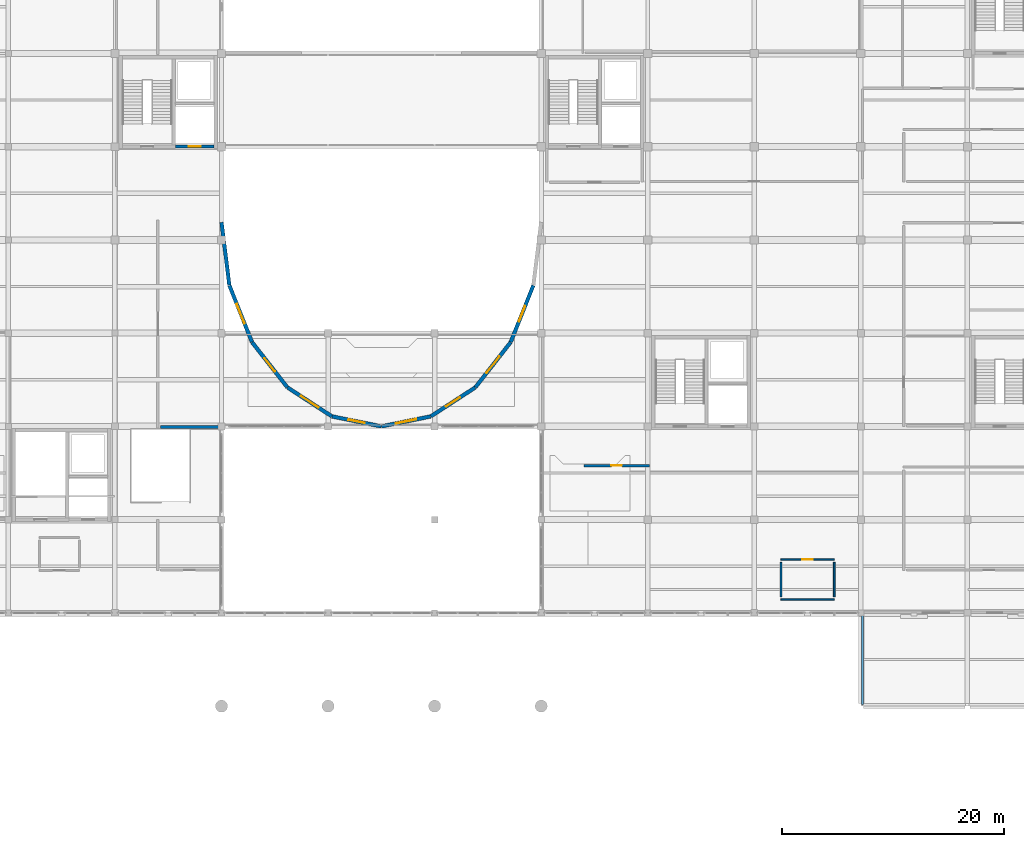
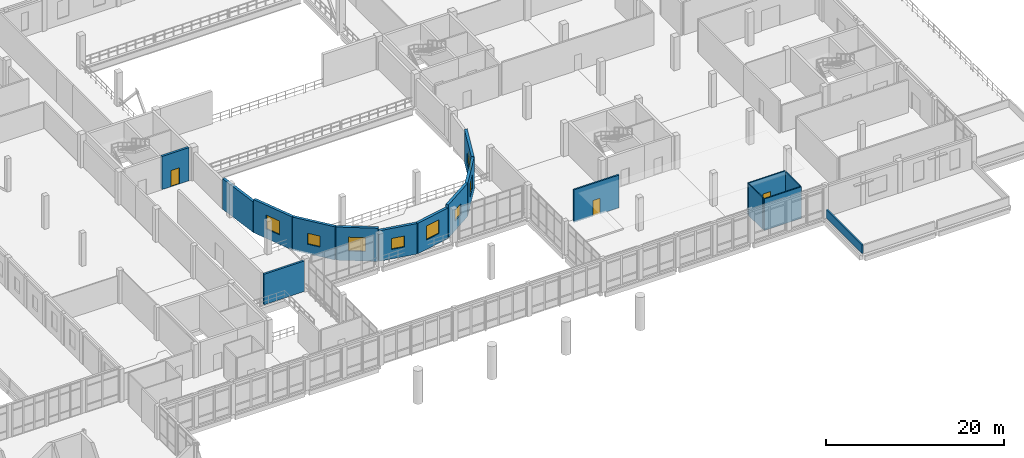
# One storey, part 74 of 88: 17 walls, 8 windows, 3 doors, 11 openings.
"""IFC4 building model written with IfcOpenShell, lengths in metres."""

from ifc_helpers import new_model, si_unit, direction, frame, frame_2d, origin, place, context, subcontext, project, spatial, rectangle, extrude, material, layer, layer_set, type_object, element, fill, save


model = new_model("IFC4")

# Units and contexts
model_context = context("Model", 3, precision=1e-05, world=origin(), true_north=direction((0.0, 1.0)))
body_context = subcontext(model_context, "Body", "Model", "MODEL_VIEW")
ifc_project = project(units=[si_unit("LENGTHUNIT", "METRE"), si_unit("AREAUNIT", "SQUARE_METRE"), si_unit("VOLUMEUNIT", "CUBIC_METRE"), si_unit("PLANEANGLEUNIT", "RADIAN"), si_unit("MASSUNIT", "GRAM", prefix="KILO")], contexts=[model_context])

# Site, building, storey
site_placement = place(None, origin())
site = spatial("IfcSite", under=ifc_project, at=site_placement, CompositionType="ELEMENT")
building_placement = place(site_placement, origin())
building = spatial("IfcBuilding", under=site, at=building_placement, Name="Lornevale Opera House", CompositionType="ELEMENT")
storey_placement = place(building_placement, frame((0.0, 0.0, 10.199951171875)))
storey = spatial("IfcBuildingStorey", under=building, at=storey_placement, Name="L03", CompositionType="ELEMENT", Elevation=10.199951171875)

# Wall
ifc_material_1 = material(Name="Acoustic Mineral-Core Gypsum Partition", Category="gypsum")
ifc_layer_1 = layer(ifc_material_1, 0.25)
ifc_layer_set_1 = layer_set([ifc_layer_1], Name="Acoustic Mineral-Core Gypsum Partition")
wall_type_1 = type_object("IfcWallType", Name="Auditorium Box-in-Box Liner 250", PredefinedType="SOLIDWALL", material=ifc_layer_set_1)
wall_1_placement = place(storey_placement, frame((61.7099609375, 33.5400390625, 0.0), z_axis=(0.0, 0.0, 1.0), x_axis=(1.0, 0.0, 0.0)))
element("IfcWall", 1, at=wall_1_placement, inside=storey, type_object=wall_type_1, Name="L03 Partition WL-INT-0851", PredefinedType="SOLIDWALL", context=body_context, shape_type="SweptSolid", body=[
    extrude(rectangle(XDim=5.27001953125, YDim=0.25, at=frame_2d((2.635009765625, 0.0))), origin(), (0.0, 0.0, 1.0), 4.177978515625),
])

# Wall, opening, door
ifc_material_2 = material(Name="Concrete 40 MPa (CSA A23.1 C-1)", Category="concrete")
ifc_layer_2 = layer(ifc_material_2, 0.280029296875)
ifc_layer_set_2 = layer_set([ifc_layer_2], Name="Concrete 40 MPa (CSA A23.1 C-1)")
wall_type_2 = type_object("IfcWallType", Name="Elevator Shaft Wall 280", PredefinedType="SHEAR", material=ifc_layer_set_2)
wall_2_placement = place(storey_placement, frame((63.0400390625, 58.800048828125, 0.0), z_axis=(0.0, 0.0, 1.0), x_axis=(1.0, 0.0, 0.0)))
wall_2 = element("IfcWall", 2, at=wall_2_placement, inside=storey, type_object=wall_type_2, Name="Auditorium West Tier Core Elevator Shaft Wall 280 WL-COR-0177", PredefinedType="SHEAR", context=body_context, shape_type="SweptSolid", body=[
    extrude(rectangle(XDim=3.5, YDim=0.280029296875, at=frame_2d((1.75, 0.0))), origin(), (0.0, 0.0, 1.0), 4.5400390625),
])
opening_1_placement = place(wall_2_placement, frame((1.2099609375, 0.0, 0.0)))
opening_1 = element("IfcOpeningElement", 3, at=opening_1_placement, cuts=wall_2, Name="Opening DR-T25", PredefinedType="OPENING", context=body_context, shape_type="SweptSolid", body=[
    extrude(rectangle(XDim=1.10009765625, YDim=2.199951171875, at=frame_2d((0.550048828125, 1.10009765625))), frame((0.0, 0.14990234375, 0.0), z_axis=(0.0, -1.0, 0.0), x_axis=(1.0, 0.0, 0.0)), (0.0, 0.0, 1.0), 0.300048828125),
])
ifc_material_3 = material(Name="Painted Hollow Metal Door Steel", Category="steel")
ifc_layer_3 = layer(ifc_material_3, 2.199951171875)
ifc_layer_set_3 = layer_set([ifc_layer_3], Name="Painted Hollow Metal Door Steel")
door_type_1 = type_object("IfcDoorType", Name="Passenger Lift Landing Door 1100x2200", OperationType="NOTDEFINED", PredefinedType="DOOR", material=ifc_layer_set_3)
door_1_placement = place(opening_1_placement, origin())
door_1 = element("IfcDoor", 4, at=door_1_placement, inside=storey, type_object=door_type_1, Name="L-P4 Landing Door L03", OperationType="SLIDING_TO_LEFT", OverallHeight=2.199951171875, OverallWidth=1.10009765625, PredefinedType="DOOR", context=body_context, shape_type="SweptSolid", body=[
    extrude(rectangle(XDim=1.10009765625, YDim=2.199951171875, at=frame_2d((0.550048828125, 1.10009765625))), frame((0.0, 0.02490234375, 0.0), z_axis=(0.0, -1.0, 0.0), x_axis=(1.0, 0.0, 0.0)), (0.0, 0.0, 1.0), 0.050048828125),
])
fill(opening_1, door_1)

# Walls
ifc_material_4 = material(Name="Precast Concrete 40 MPa (CSA A23.1 C-1)", Category="concrete")
ifc_layer_4 = layer(ifc_material_4, 0.195068359375)
ifc_layer_set_4 = layer_set([ifc_layer_4], Name="Precast Concrete 40 MPa (CSA A23.1 C-1)")
wall_type_3 = type_object("IfcWallType", Name="Green Roof Parapet Wall 195", PredefinedType="PARAPET", material=ifc_layer_set_4)
wall_3_placement = place(storey_placement, frame((124.929931640625, 8.56005859375, 0.0), z_axis=(0.0, 0.0, 1.0), x_axis=(0.0, 1.0, 0.0)))
element("IfcWall", 5, at=wall_3_placement, inside=storey, type_object=wall_type_3, Name="Green Roof Parapet Wall 195 0416", PredefinedType="PARAPET", context=body_context, shape_type="SweptSolid", body=[
    extrude(rectangle(XDim=8.079833984375, YDim=0.195068359375, at=frame_2d((4.0400390625, 0.0))), origin(), (0.0, 0.0, 1.0), 1.150146484375),
])
ifc_material_5 = material(Name="Credit Valley Sandstone Ashlar Masonry (25 MPa)", Category="masonry")
ifc_layer_5 = layer(ifc_material_5, 0.340087890625)
ifc_layer_set_5 = layer_set([ifc_layer_5], Name="Credit Valley Sandstone Ashlar Masonry (25 MPa)")
wall_type_4 = type_object("IfcWallType", Name="Polychrome Drum Cavity Wall 340", PredefinedType="SOLIDWALL", material=ifc_layer_set_5)
wall_4_placement = place(storey_placement, frame((67.201416015625, 51.988037109375, 0.0), z_axis=(0.0, 0.0, 1.0), x_axis=(0.123065633968, -0.992398533723, 0.0)))
element("IfcWall", 6, at=wall_4_placement, inside=storey, type_object=wall_type_4, Name="Auditorium Horseshoe Drum Wall WL-DRM-0349", PredefinedType="SOLIDWALL", context=body_context, shape_type="SweptSolid", body=[
    extrude(rectangle(XDim=5.70556640625, YDim=0.340087890625, at=frame_2d((2.852783203125, 0.0))), origin(), (0.0, 0.0, 1.0), 4.177978515625),
])

# Wall, opening, window
wall_5_placement = place(storey_placement, frame((67.909423828125, 46.302978515625, 0.0), z_axis=(0.0, 0.0, 1.0), x_axis=(0.370349189815, -0.928892608219, 0.0)))
wall_5 = element("IfcWall", 7, at=wall_5_placement, inside=storey, type_object=wall_type_4, Name="Auditorium Horseshoe Drum Wall WL-DRM-0350", PredefinedType="SOLIDWALL", context=body_context, shape_type="SweptSolid", body=[
    extrude(rectangle(XDim=5.497802734375, YDim=0.340087890625, at=frame_2d((2.7490234375, 0.0))), origin(), (0.0, 0.0, 1.0), 4.5400390625),
])
opening_2_placement = place(wall_5_placement, frame((1.799072265625, 0.0, 1.300048828125)))
opening_2 = element("IfcOpeningElement", 8, at=opening_2_placement, cuts=wall_5, Name="Opening WN-T18", PredefinedType="OPENING", context=body_context, shape_type="SweptSolid", body=[
    extrude(rectangle(XDim=1.89990234375, YDim=1.89990234375, at=frame_2d((0.949951171875, 0.949951171875))), frame((0.0, 0.179931640625, 0.0), z_axis=(0.0, -1.0, 0.0), x_axis=(1.0, 0.0, 0.0)), (0.0, 0.0, 1.0), 0.360107421875),
])
ifc_material_6 = material(Name="Triple Low-E Insulated Glazing", Category="glass")
ifc_layer_6 = layer(ifc_material_6, 0.06005859375)
ifc_layer_set_6 = layer_set([ifc_layer_6], Name="Triple Low-E Insulated Glazing")
window_type_1 = type_object("IfcWindowType", Name="Postmodern Drum Ocular Window 1900x1900", PartitioningType="NOTDEFINED", PredefinedType="WINDOW", material=ifc_layer_set_6)
window_1_placement = place(opening_2_placement, origin())
window_1 = element("IfcWindow", 9, at=window_1_placement, inside=storey, type_object=window_type_1, Name="Postmodern Drum Ocular Window 1900x1900 WN-0152", OverallHeight=1.89990234375, OverallWidth=1.89990234375, PartitioningType="SINGLE_PANEL", PredefinedType="WINDOW", context=body_context, shape_type="SweptSolid", body=[
    extrude(rectangle(XDim=1.89990234375, YDim=1.89990234375, at=frame_2d((0.949951171875, 0.949951171875))), frame((0.0, 0.030029296875, 0.0), z_axis=(0.0, -1.0, 0.0), x_axis=(1.0, 0.0, 0.0)), (0.0, 0.0, 1.0), 0.06005859375),
])
fill(opening_2, window_1)

wall_6_placement = place(storey_placement, frame((69.95751953125, 41.175537109375, 0.0), z_axis=(0.0, 0.0, 1.0), x_axis=(0.616309541044, -0.787503999747, 0.0)))
wall_6 = element("IfcWall", 10, at=wall_6_placement, inside=storey, type_object=wall_type_4, Name="Auditorium Horseshoe Drum Wall WL-DRM-0351", PredefinedType="SOLIDWALL", context=body_context, shape_type="SweptSolid", body=[
    extrude(rectangle(XDim=5.145263671875, YDim=0.340087890625, at=frame_2d((2.57275390625, 0.0))), origin(), (0.0, 0.0, 1.0), 4.5400390625),
])
opening_3_placement = place(wall_6_placement, frame((1.822998046875, 0.0, 1.300048828125)))
opening_3 = element("IfcOpeningElement", 11, at=opening_3_placement, cuts=wall_6, Name="Opening WN-T17", PredefinedType="OPENING", context=body_context, shape_type="SweptSolid", body=[
    extrude(rectangle(XDim=1.5, YDim=1.5, at=frame_2d((0.75, 0.75))), frame((0.0, 0.179931640625, 0.0), z_axis=(0.0, -1.0, 0.0), x_axis=(1.0, 0.0, 0.0)), (0.0, 0.0, 1.0), 0.360107421875),
])
ifc_layer_7 = layer(ifc_material_6, 0.06005859375)
ifc_layer_set_7 = layer_set([ifc_layer_7], Name="Triple Low-E Insulated Glazing")
window_type_2 = type_object("IfcWindowType", Name="Postmodern Drum Ocular Window 1500x1500", PartitioningType="NOTDEFINED", PredefinedType="WINDOW", material=ifc_layer_set_7)
window_2_placement = place(opening_3_placement, origin())
window_2 = element("IfcWindow", 12, at=window_2_placement, inside=storey, type_object=window_type_2, Name="Postmodern Drum Ocular Window 1500x1500 WN-0153", OverallHeight=1.5, OverallWidth=1.5, PartitioningType="SINGLE_PANEL", PredefinedType="WINDOW", context=body_context, shape_type="SweptSolid", body=[
    extrude(rectangle(XDim=1.5, YDim=1.5, at=frame_2d((0.75, 0.75))), frame((0.0, 0.030029296875, 0.0), z_axis=(0.0, -1.0, 0.0), x_axis=(1.0, 0.0, 0.0)), (0.0, 0.0, 1.0), 0.06005859375),
])
fill(opening_3, window_2)

wall_7_placement = place(storey_placement, frame((73.14599609375, 37.107421875, 0.0), z_axis=(0.0, 0.0, 1.0), x_axis=(0.838077071432, -0.545551851194, 0.0)))
wall_7 = element("IfcWall", 13, at=wall_7_placement, inside=storey, type_object=wall_type_4, Name="Auditorium Horseshoe Drum Wall WL-DRM-0352", PredefinedType="SOLIDWALL", context=body_context, shape_type="SweptSolid", body=[
    extrude(rectangle(XDim=4.765625, YDim=0.340087890625, at=frame_2d((2.3828125, 0.0))), origin(), (0.0, 0.0, 1.0), 4.5400390625),
])
opening_4_placement = place(wall_7_placement, frame((1.43310546875, 0.0, 1.300048828125)))
opening_4 = element("IfcOpeningElement", 14, at=opening_4_placement, cuts=wall_7, Name="Opening WN-T18", PredefinedType="OPENING", context=body_context, shape_type="SweptSolid", body=[
    extrude(rectangle(XDim=1.89990234375, YDim=1.89990234375, at=frame_2d((0.949951171875, 0.949951171875))), frame((0.0, 0.179931640625, 0.0), z_axis=(0.0, -1.0, 0.0), x_axis=(1.0, 0.0, 0.0)), (0.0, 0.0, 1.0), 0.360107421875),
])
window_3_placement = place(opening_4_placement, origin())
window_3 = element("IfcWindow", 15, at=window_3_placement, inside=storey, type_object=window_type_1, Name="Postmodern Drum Ocular Window 1900x1900 WN-0154", OverallHeight=1.89990234375, OverallWidth=1.89990234375, PartitioningType="SINGLE_PANEL", PredefinedType="WINDOW", context=body_context, shape_type="SweptSolid", body=[
    extrude(rectangle(XDim=1.89990234375, YDim=1.89990234375, at=frame_2d((0.949951171875, 0.949951171875))), frame((0.0, 0.030029296875, 0.0), z_axis=(0.0, -1.0, 0.0), x_axis=(1.0, 0.0, 0.0)), (0.0, 0.0, 1.0), 0.06005859375),
])
fill(opening_4, window_3)

wall_8_placement = place(storey_placement, frame((77.161865234375, 34.49853515625, 0.0), z_axis=(0.0, 0.0, 1.0), x_axis=(0.980110057719, -0.198454717148, 0.0)))
wall_8 = element("IfcWall", 16, at=wall_8_placement, inside=storey, type_object=wall_type_4, Name="Auditorium Horseshoe Drum Wall WL-DRM-0353", PredefinedType="SOLIDWALL", context=body_context, shape_type="SweptSolid", body=[
    extrude(rectangle(XDim=4.51611328125, YDim=0.340087890625, at=frame_2d((2.258056640625, 0.0))), origin(), (0.0, 0.0, 1.0), 4.177978515625),
])
opening_5_placement = place(wall_8_placement, frame((1.508056640625, 0.0, 1.300048828125)))
opening_5 = element("IfcOpeningElement", 17, at=opening_5_placement, cuts=wall_8, Name="Opening WN-T17", PredefinedType="OPENING", context=body_context, shape_type="SweptSolid", body=[
    extrude(rectangle(XDim=1.5, YDim=1.5, at=frame_2d((0.75, 0.75))), frame((0.0, 0.179931640625, 0.0), z_axis=(0.0, -1.0, 0.0), x_axis=(1.0, 0.0, 0.0)), (0.0, 0.0, 1.0), 0.360107421875),
])
window_4_placement = place(opening_5_placement, origin())
window_4 = element("IfcWindow", 18, at=window_4_placement, inside=storey, type_object=window_type_2, Name="Postmodern Drum Ocular Window 1500x1500 WN-0155", OverallHeight=1.5, OverallWidth=1.5, PartitioningType="SINGLE_PANEL", PredefinedType="WINDOW", context=body_context, shape_type="SweptSolid", body=[
    extrude(rectangle(XDim=1.5, YDim=1.5, at=frame_2d((0.75, 0.75))), frame((0.0, 0.030029296875, 0.0), z_axis=(0.0, -1.0, 0.0), x_axis=(1.0, 0.0, 0.0)), (0.0, 0.0, 1.0), 0.06005859375),
])
fill(opening_5, window_4)

wall_9_placement = place(storey_placement, frame((81.61181640625, 33.602294921875, 0.0), z_axis=(0.0, 0.0, 1.0), x_axis=(0.980110057719, 0.198454717148, 0.0)))
wall_9 = element("IfcWall", 19, at=wall_9_placement, inside=storey, type_object=wall_type_4, Name="Auditorium Horseshoe Drum Wall WL-DRM-0354", PredefinedType="SOLIDWALL", context=body_context, shape_type="SweptSolid", body=[
    extrude(rectangle(XDim=4.51611328125, YDim=0.340087890625, at=frame_2d((2.258056640625, 0.0))), origin(), (0.0, 0.0, 1.0), 4.177978515625),
])
opening_6_placement = place(wall_9_placement, frame((1.30810546875, 0.0, 1.300048828125)))
opening_6 = element("IfcOpeningElement", 20, at=opening_6_placement, cuts=wall_9, Name="Opening WN-T18", PredefinedType="OPENING", context=body_context, shape_type="SweptSolid", body=[
    extrude(rectangle(XDim=1.89990234375, YDim=1.89990234375, at=frame_2d((0.949951171875, 0.949951171875))), frame((0.0, 0.179931640625, 0.0), z_axis=(0.0, -1.0, 0.0), x_axis=(1.0, 0.0, 0.0)), (0.0, 0.0, 1.0), 0.360107421875),
])
window_5_placement = place(opening_6_placement, origin())
window_5 = element("IfcWindow", 21, at=window_5_placement, inside=storey, type_object=window_type_1, Name="Postmodern Drum Ocular Window 1900x1900 WN-0156", OverallHeight=1.89990234375, OverallWidth=1.89990234375, PartitioningType="SINGLE_PANEL", PredefinedType="WINDOW", context=body_context, shape_type="SweptSolid", body=[
    extrude(rectangle(XDim=1.89990234375, YDim=1.89990234375, at=frame_2d((0.949951171875, 0.949951171875))), frame((0.0, 0.030029296875, 0.0), z_axis=(0.0, -1.0, 0.0), x_axis=(1.0, 0.0, 0.0)), (0.0, 0.0, 1.0), 0.06005859375),
])
fill(opening_6, window_5)

wall_10_placement = place(storey_placement, frame((86.06005859375, 34.507568359375, 0.0), z_axis=(0.0, 0.0, 1.0), x_axis=(0.838077071432, 0.545551851194, 0.0)))
wall_10 = element("IfcWall", 22, at=wall_10_placement, inside=storey, type_object=wall_type_4, Name="Auditorium Horseshoe Drum Wall WL-DRM-0355", PredefinedType="SOLIDWALL", context=body_context, shape_type="SweptSolid", body=[
    extrude(rectangle(XDim=4.765625, YDim=0.340087890625, at=frame_2d((2.3828125, 0.0))), origin(), (0.0, 0.0, 1.0), 4.5400390625),
])
opening_7_placement = place(wall_10_placement, frame((1.633056640625, 0.0, 1.300048828125)))
opening_7 = element("IfcOpeningElement", 23, at=opening_7_placement, cuts=wall_10, Name="Opening WN-T17", PredefinedType="OPENING", context=body_context, shape_type="SweptSolid", body=[
    extrude(rectangle(XDim=1.5, YDim=1.5, at=frame_2d((0.75, 0.75))), frame((0.0, 0.179931640625, 0.0), z_axis=(0.0, -1.0, 0.0), x_axis=(1.0, 0.0, 0.0)), (0.0, 0.0, 1.0), 0.360107421875),
])
window_6_placement = place(opening_7_placement, origin())
window_6 = element("IfcWindow", 24, at=window_6_placement, inside=storey, type_object=window_type_2, Name="Postmodern Drum Ocular Window 1500x1500 WN-0157", OverallHeight=1.5, OverallWidth=1.5, PartitioningType="SINGLE_PANEL", PredefinedType="WINDOW", context=body_context, shape_type="SweptSolid", body=[
    extrude(rectangle(XDim=1.5, YDim=1.5, at=frame_2d((0.75, 0.75))), frame((0.0, 0.030029296875, 0.0), z_axis=(0.0, -1.0, 0.0), x_axis=(1.0, 0.0, 0.0)), (0.0, 0.0, 1.0), 0.06005859375),
])
fill(opening_7, window_6)

wall_11_placement = place(storey_placement, frame((90.0712890625, 37.12353515625, 0.0), z_axis=(0.0, 0.0, 1.0), x_axis=(0.616338965583, 0.787480970884, 0.0)))
wall_11 = element("IfcWall", 25, at=wall_11_placement, inside=storey, type_object=wall_type_4, Name="Auditorium Horseshoe Drum Wall WL-DRM-0356", PredefinedType="SOLIDWALL", context=body_context, shape_type="SweptSolid", body=[
    extrude(rectangle(XDim=5.1455078125, YDim=0.340087890625, at=frame_2d((2.57275390625, 0.0))), origin(), (0.0, 0.0, 1.0), 4.5400390625),
])
opening_8_placement = place(wall_11_placement, frame((1.623046875, 0.0, 1.300048828125)))
opening_8 = element("IfcOpeningElement", 26, at=opening_8_placement, cuts=wall_11, Name="Opening WN-T18", PredefinedType="OPENING", context=body_context, shape_type="SweptSolid", body=[
    extrude(rectangle(XDim=1.89990234375, YDim=1.89990234375, at=frame_2d((0.949951171875, 0.949951171875))), frame((0.0, 0.179931640625, 0.0), z_axis=(0.0, -1.0, 0.0), x_axis=(1.0, 0.0, 0.0)), (0.0, 0.0, 1.0), 0.360107421875),
])
window_7_placement = place(opening_8_placement, origin())
window_7 = element("IfcWindow", 27, at=window_7_placement, inside=storey, type_object=window_type_1, Name="Postmodern Drum Ocular Window 1900x1900 WN-0158", OverallHeight=1.89990234375, OverallWidth=1.89990234375, PartitioningType="SINGLE_PANEL", PredefinedType="WINDOW", context=body_context, shape_type="SweptSolid", body=[
    extrude(rectangle(XDim=1.89990234375, YDim=1.89990234375, at=frame_2d((0.949951171875, 0.949951171875))), frame((0.0, 0.030029296875, 0.0), z_axis=(0.0, -1.0, 0.0), x_axis=(1.0, 0.0, 0.0)), (0.0, 0.0, 1.0), 0.06005859375),
])
fill(opening_8, window_7)

wall_12_placement = place(storey_placement, frame((93.25439453125, 41.196044921875, 0.0), z_axis=(0.0, 0.0, 1.0), x_axis=(0.370349189815, 0.928892608219, 0.0)))
wall_12 = element("IfcWall", 28, at=wall_12_placement, inside=storey, type_object=wall_type_4, Name="Auditorium Horseshoe Drum Wall WL-DRM-0357", PredefinedType="SOLIDWALL", context=body_context, shape_type="SweptSolid", body=[
    extrude(rectangle(XDim=5.497802734375, YDim=0.340087890625, at=frame_2d((2.7490234375, 0.0))), origin(), (0.0, 0.0, 1.0), 4.5400390625),
])
opening_9_placement = place(wall_12_placement, frame((1.9990234375, 0.0, 1.300048828125)))
opening_9 = element("IfcOpeningElement", 29, at=opening_9_placement, cuts=wall_12, Name="Opening WN-T17", PredefinedType="OPENING", context=body_context, shape_type="SweptSolid", body=[
    extrude(rectangle(XDim=1.5, YDim=1.5, at=frame_2d((0.75, 0.75))), frame((0.0, 0.179931640625, 0.0), z_axis=(0.0, -1.0, 0.0), x_axis=(1.0, 0.0, 0.0)), (0.0, 0.0, 1.0), 0.360107421875),
])
window_8_placement = place(opening_9_placement, origin())
window_8 = element("IfcWindow", 30, at=window_8_placement, inside=storey, type_object=window_type_2, Name="Postmodern Drum Ocular Window 1500x1500 WN-0159", OverallHeight=1.5, OverallWidth=1.5, PartitioningType="SINGLE_PANEL", PredefinedType="WINDOW", context=body_context, shape_type="SweptSolid", body=[
    extrude(rectangle(XDim=1.5, YDim=1.5, at=frame_2d((0.75, 0.75))), frame((0.0, 0.030029296875, 0.0), z_axis=(0.0, -1.0, 0.0), x_axis=(1.0, 0.0, 0.0)), (0.0, 0.0, 1.0), 0.06005859375),
])
fill(opening_9, window_8)

# Wall, opening, door
ifc_layer_8 = layer(ifc_material_1, 0.199951171875)
ifc_layer_set_8 = layer_set([ifc_layer_8], Name="Acoustic Mineral-Core Gypsum Partition")
wall_type_5 = type_object("IfcWallType", Name="Practice Studio Double-Stud Wall 200", PredefinedType="SOLIDWALL", material=ifc_layer_set_8)
wall_13_placement = place(storey_placement, frame((99.860107421875, 30.06005859375, 0.0), z_axis=(0.0, 0.0, 1.0), x_axis=(1.0, 0.0, 0.0)))
wall_13 = element("IfcWall", 31, at=wall_13_placement, inside=storey, type_object=wall_type_5, Name="L03 Partition WL-INT-0855", PredefinedType="SOLIDWALL", context=body_context, shape_type="SweptSolid", body=[
    extrude(rectangle(XDim=5.8798828125, YDim=0.199951171875, at=frame_2d((2.93994140625, 0.0))), origin(), (0.0, 0.0, 1.0), 4.47998046875),
])
opening_10_placement = place(wall_13_placement, frame((2.465087890625, 0.0, 0.0)))
opening_10 = element("IfcOpeningElement", 32, at=opening_10_placement, cuts=wall_13, Name="Opening DR-T19", PredefinedType="OPENING", context=body_context, shape_type="SweptSolid", body=[
    extrude(rectangle(XDim=0.949951171875, YDim=2.14990234375, at=frame_2d((0.47509765625, 1.074951171875))), frame((0.0, 0.10986328125, 0.0), z_axis=(0.0, -1.0, 0.0), x_axis=(1.0, 0.0, 0.0)), (0.0, 0.0, 1.0), 0.219970703125),
])
ifc_material_7 = material(Name="White Oak Acoustic Panelling", Category="wood")
ifc_layer_9 = layer(ifc_material_7, 2.14990234375)
ifc_layer_set_9 = layer_set([ifc_layer_9], Name="White Oak Acoustic Panelling")
door_type_2 = type_object("IfcDoorType", Name="Soloist Dressing Door L 950x2150", OperationType="NOTDEFINED", PredefinedType="DOOR", material=ifc_layer_set_9)
door_2_placement = place(opening_10_placement, origin())
door_2 = element("IfcDoor", 33, at=door_2_placement, inside=storey, type_object=door_type_2, Name="Dress Circle Conservatory Bar Door", OperationType="SINGLE_SWING_LEFT", OverallHeight=2.14990234375, OverallWidth=0.949951171875, PredefinedType="DOOR", context=body_context, shape_type="SweptSolid", body=[
    extrude(rectangle(XDim=0.949951171875, YDim=2.14990234375, at=frame_2d((0.47509765625, 1.074951171875))), frame((0.0, 0.02490234375, 0.0), z_axis=(0.0, -1.0, 0.0), x_axis=(1.0, 0.0, 0.0)), (0.0, 0.0, 1.0), 0.050048828125),
])
fill(opening_10, door_2)

# Wall
ifc_material_8 = material(Name="Moisture-Resistant Ceramic & Gypsum Partition", Category="gypsum")
ifc_layer_10 = layer(ifc_material_8, 0.139892578125)
ifc_layer_set_10 = layer_set([ifc_layer_10], Name="Moisture-Resistant Ceramic & Gypsum Partition")
wall_type_6 = type_object("IfcWallType", Name="Washroom Moisture Partition 140", PredefinedType="PARTITIONING", material=ifc_layer_set_10)
wall_14_placement = place(storey_placement, frame((117.60009765625, 18.0, 0.0), z_axis=(0.0, 0.0, 1.0), x_axis=(1.0, 0.0, 0.0)))
element("IfcWall", 34, at=wall_14_placement, inside=storey, type_object=wall_type_6, Name="Dress Circle Washroom East S Wall WL-INT-0488", PredefinedType="PARTITIONING", context=body_context, shape_type="SweptSolid", body=[
    extrude(rectangle(XDim=4.7998046875, YDim=0.139892578125, at=frame_2d((2.39990234375, 0.0))), origin(), (0.0, 0.0, 1.0), 4.320068359375),
])

# Wall, opening, door
wall_15_placement = place(storey_placement, frame((117.60009765625, 21.60009765625, 0.0), z_axis=(0.0, 0.0, 1.0), x_axis=(1.0, 0.0, 0.0)))
wall_15 = element("IfcWall", 35, at=wall_15_placement, inside=storey, type_object=wall_type_6, Name="Dress Circle Washroom East N Wall WL-INT-0489", PredefinedType="PARTITIONING", context=body_context, shape_type="SweptSolid", body=[
    extrude(rectangle(XDim=4.7998046875, YDim=0.139892578125, at=frame_2d((2.39990234375, 0.0))), origin(), (0.0, 0.0, 1.0), 4.320068359375),
])
opening_11_placement = place(wall_15_placement, frame((1.925048828125, 0.0, 0.0)))
opening_11 = element("IfcOpeningElement", 36, at=opening_11_placement, cuts=wall_15, Name="Opening DR-T22", PredefinedType="OPENING", context=body_context, shape_type="SweptSolid", body=[
    extrude(rectangle(XDim=0.949951171875, YDim=2.14990234375, at=frame_2d((0.47509765625, 1.074951171875))), frame((0.0, 0.079833984375, 0.0), z_axis=(0.0, -1.0, 0.0), x_axis=(1.0, 0.0, 0.0)), (0.0, 0.0, 1.0), 0.159912109375),
])
ifc_layer_11 = layer(ifc_material_7, 2.14990234375)
ifc_layer_set_11 = layer_set([ifc_layer_11], Name="White Oak Acoustic Panelling")
door_type_3 = type_object("IfcDoorType", Name="Washroom Door R 950x2150", OperationType="NOTDEFINED", PredefinedType="DOOR", material=ifc_layer_set_11)
door_3_placement = place(opening_11_placement, origin())
door_3 = element("IfcDoor", 37, at=door_3_placement, inside=storey, type_object=door_type_3, Name="Dress Circle Washroom East Door", OperationType="SINGLE_SWING_RIGHT", OverallHeight=2.14990234375, OverallWidth=0.949951171875, PredefinedType="DOOR", context=body_context, shape_type="SweptSolid", body=[
    extrude(rectangle(XDim=0.949951171875, YDim=2.14990234375, at=frame_2d((0.47509765625, 1.074951171875))), frame((0.0, 0.02490234375, 0.0), z_axis=(0.0, -1.0, 0.0), x_axis=(1.0, 0.0, 0.0)), (0.0, 0.0, 1.0), 0.050048828125),
])
fill(opening_11, door_3)

# Walls
for number, where, z_axis, x_axis, name in (
    (38, (117.60009765625, 18.25, 0.0), (0.0, 0.0, 1.0), (0.0, 1.0, 0.0), "Dress Circle Washroom East W Wall WL-INT-0490"),
    (39, (122.39990234375, 18.25, 0.0), (0.0, 0.0, 1.0), (0.0, 1.0, 0.0), "Dress Circle Washroom East E Wall WL-INT-0491"),
):
    element("IfcWall", number, at=place(storey_placement, frame(where, z_axis=z_axis, x_axis=x_axis)), inside=storey, type_object=wall_type_6, Name=name, PredefinedType="PARTITIONING", context=body_context, shape_type="SweptSolid", body=[
        extrude(rectangle(XDim=3.10009765625, YDim=0.139892578125, at=frame_2d((1.550048828125, 0.0))), origin(), (0.0, 0.0, 1.0), 4.320068359375),
    ])

save(model, "model.ifc")
